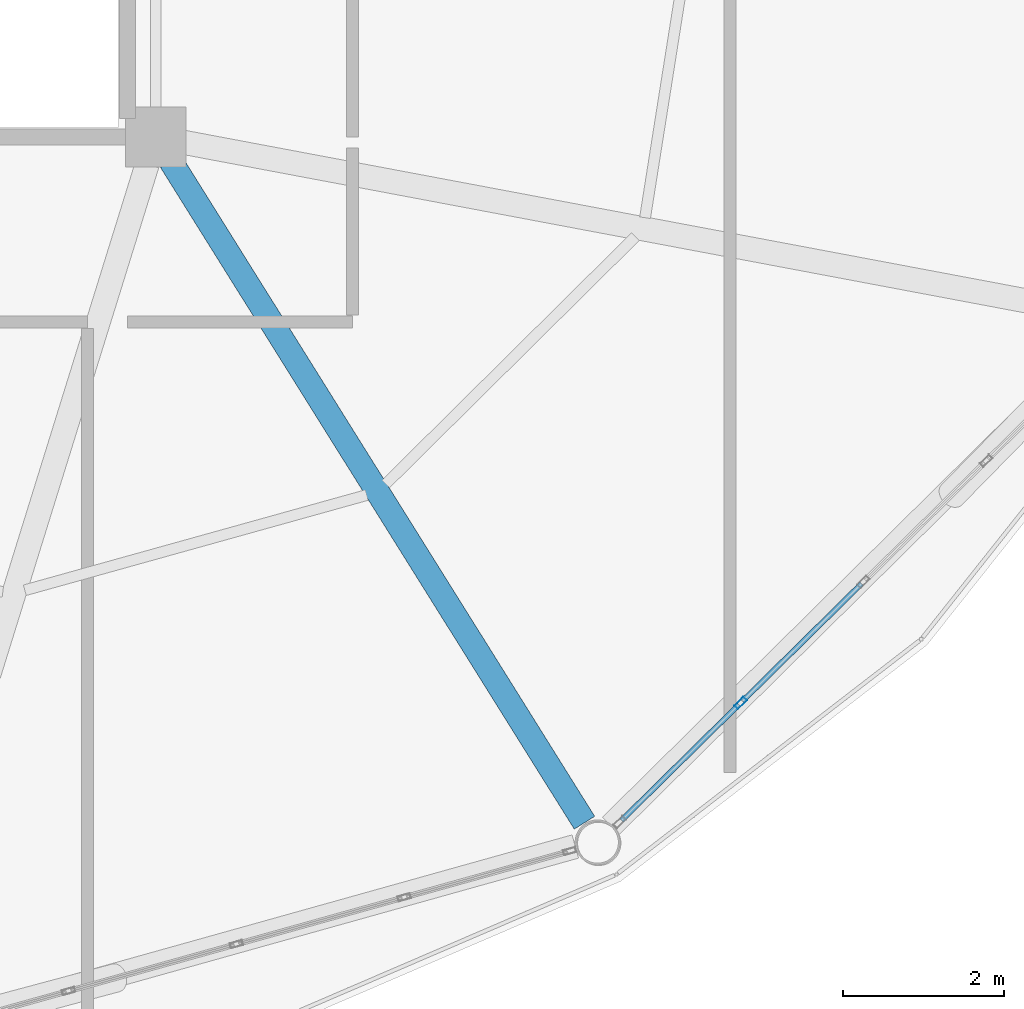
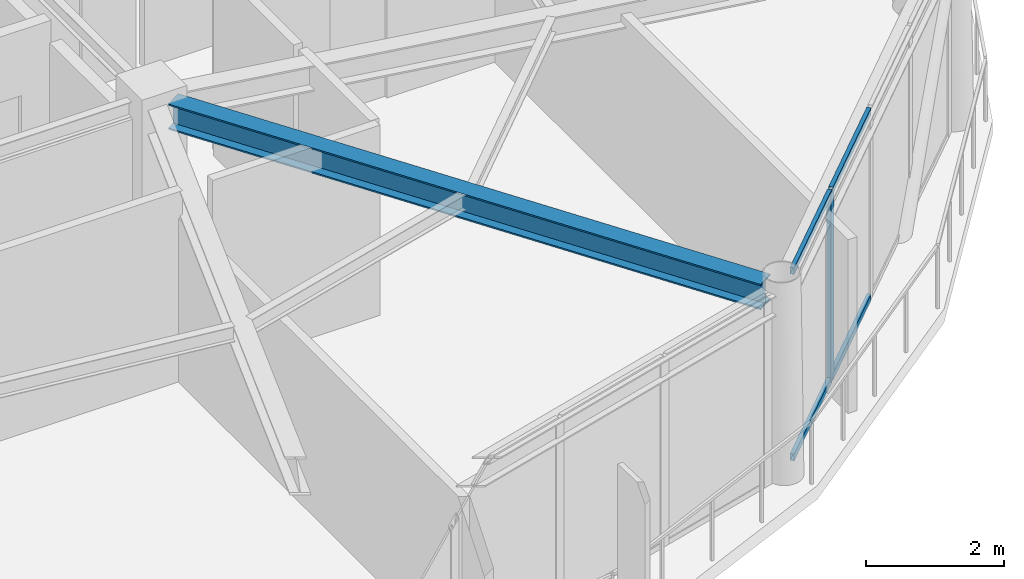
# One storey, part 8 of 26: 5 members, 1 beam, 1 element without a shape of its own.
"""IFC4 building model written with IfcOpenShell, lengths in metres."""

from ifc_helpers import new_model, si_unit, direction, frame, origin, origin_2d, place, context, subcontext, project, spatial, hollow_rectangle, i_section, extrude, material, layer, layer_set, material_profile, profile_set, type_object, element, aggregate, save


model = new_model("IFC4")

# Units and contexts
model_context = context("Model", 3, precision=1e-05, world=origin(), true_north=direction((0.0, 1.0)))
body_context = subcontext(model_context, "Body", "Model", "MODEL_VIEW")
ifc_project = project(units=[si_unit("LENGTHUNIT", "METRE"), si_unit("AREAUNIT", "SQUARE_METRE"), si_unit("VOLUMEUNIT", "CUBIC_METRE"), si_unit("PLANEANGLEUNIT", "RADIAN"), si_unit("MASSUNIT", "GRAM", prefix="KILO")], contexts=[model_context])

# Site, building, storey
site_placement = place(None, origin())
site = spatial("IfcSite", under=ifc_project, at=site_placement, CompositionType="ELEMENT")
building_placement = place(site_placement, origin())
building = spatial("IfcBuilding", under=site, at=building_placement, Name="Varnakorn Sky Granary", CompositionType="ELEMENT")
storey_placement = place(building_placement, frame((0.0, 0.0, 267.0)))
storey = spatial("IfcBuildingStorey", under=building, at=storey_placement, Name="L68", CompositionType="ELEMENT", Elevation=267.0)

# Beam
ifc_material_1 = material(Name="Steel S355JR", Category="steel")
ifc_material_profile_1 = material_profile(ifc_material_1, i_section(OverallWidth=0.300048828125, OverallDepth=0.449951171875, WebThickness=0.013916015625, FlangeThickness=0.02587890625, at=origin_2d()), Name="HE 450 B")
ifc_profile_set_1 = profile_set([ifc_material_profile_1], Name="Steel S355JR")
beam_type = type_object("IfcBeamType", Name="BM-RAD-Z5", PredefinedType="BEAM", material=ifc_profile_set_1)
beam_placement = place(storey_placement, frame((8.5380859375, -6.90087890625, 3.135009765625), z_axis=(0.530229440098, -0.847854197875, 0.0), x_axis=(0.847854197875, 0.530229440098, 0.0)))
element("IfcBeam", 1, at=beam_placement, inside=storey, type_object=beam_type, Name="Radial Floor Girder RG11 L68", PredefinedType="BEAM", context=body_context, shape_type="SweptSolid", body=[
    extrude(i_section(OverallWidth=0.300048828125, OverallDepth=0.449951171875, WebThickness=0.013916015625, FlangeThickness=0.02587890625, at=origin_2d()), origin(), (0.0, 0.0, 1.0), 9.710205078125),
])

# Curtain wall, members
ifc_material_2 = material(Name="Anodised Bronze Aluminium Alloy 6063-T6", Category="aluminium")
ifc_layer = layer(ifc_material_2, 0.159912109375, Name="Anodised Bronze Aluminium Alloy 6063-T6")
ifc_layer_set = layer_set([ifc_layer], Name="Anodised Bronze Aluminium Alloy 6063-T6")
curtain_wall_type = type_object("IfcCurtainWallType", Name="CW-OFF-1", PredefinedType="USERDEFINED", material=ifc_layer_set)
curtain_wall_placement = place(storey_placement, origin())
curtain_wall = element("IfcCurtainWall", 2, at=curtain_wall_placement, inside=storey, type_object=curtain_wall_type, Name="Unitised Curtain Wall CW6 CW-L68-B11", ObjectType="CURTAIN WALL", PredefinedType="USERDEFINED")
ifc_material_profile_2 = material_profile(ifc_material_2, hollow_rectangle(XDim=0.06494140625, YDim=0.159912109375, WallThickness=0.00341796875, at=origin_2d()), Name="ALU MULL 65x160")
ifc_profile_set_2 = profile_set([ifc_material_profile_2], Name="Anodised Bronze Aluminium Alloy 6063-T6")
member_type_1 = type_object("IfcMemberType", Name="CW-OFF-1-MULL", PredefinedType="MULLION", material=ifc_profile_set_2)
member_1_placement = place(storey_placement, frame((15.63037109375, -13.642333984375, 0.0), z_axis=(0.0, 0.0, 1.0), x_axis=(0.702091405728, -0.71208683319, 0.0)))
member_1 = element("IfcMember", 3, at=member_1_placement, type_object=member_type_1, Name="CW6 mullion 4", PredefinedType="MULLION", context=body_context, shape_type="SweptSolid", body=[
    extrude(hollow_rectangle(XDim=0.06494140625, YDim=0.159912109375, WallThickness=0.00341796875, at=origin_2d()), origin(), (0.0, 0.0, 1.0), 3.360107421875),
])
ifc_material_profile_3 = material_profile(ifc_material_2, hollow_rectangle(XDim=0.06494140625, YDim=0.1201171875, WallThickness=0.00341796875, at=origin_2d()), Name="ALU TRAN 65x120")
ifc_profile_set_3 = profile_set([ifc_material_profile_3], Name="Anodised Bronze Aluminium Alloy 6063-T6")
member_type_2 = type_object("IfcMemberType", Name="CW-OFF-1-TRAN", PredefinedType="USERDEFINED", material=ifc_profile_set_3)
member_2_placement = place(storey_placement, frame((17.135498046875, -12.158447265625, 0.032470703125), z_axis=(-0.712074901706, -0.702103506871, 0.0), x_axis=(0.702103506871, -0.712074901706, 0.0)))
member_2 = element("IfcMember", 4, at=member_2_placement, type_object=member_type_2, Name="CW6 transom 3.1", ObjectType="TRANSOM", PredefinedType="USERDEFINED", context=body_context, shape_type="SweptSolid", body=[
    extrude(hollow_rectangle(XDim=0.06494140625, YDim=0.1201171875, WallThickness=0.00341796875, at=origin_2d()), origin(), (0.0, 0.0, 1.0), 2.0810546875),
])
member_3_placement = place(storey_placement, frame((17.135498046875, -12.158447265625, 3.327392578125), z_axis=(-0.712074901706, -0.702103506871, 0.0), x_axis=(0.702103506871, -0.712074901706, 0.0)))
member_3 = element("IfcMember", 5, at=member_3_placement, type_object=member_type_2, Name="CW6 transom 3.2", ObjectType="TRANSOM", PredefinedType="USERDEFINED", context=body_context, shape_type="SweptSolid", body=[
    extrude(hollow_rectangle(XDim=0.06494140625, YDim=0.1201171875, WallThickness=0.00341796875, at=origin_2d()), origin(), (0.0, 0.0, 1.0), 2.0810546875),
])
member_4_placement = place(storey_placement, frame((15.607177734375, -13.665283203125, 0.032470703125), z_axis=(-0.712035829306, -0.702143131979, 0.0), x_axis=(0.702143131979, -0.712035829306, 0.0)))
member_4 = element("IfcMember", 6, at=member_4_placement, type_object=member_type_2, Name="CW6 transom 4.1", ObjectType="TRANSOM", PredefinedType="USERDEFINED", context=body_context, shape_type="SweptSolid", body=[
    extrude(hollow_rectangle(XDim=0.06494140625, YDim=0.1201171875, WallThickness=0.00341796875, at=origin_2d()), origin(), (0.0, 0.0, 1.0), 2.04833984375),
])
member_5_placement = place(storey_placement, frame((15.607177734375, -13.665283203125, 3.327392578125), z_axis=(-0.712035829306, -0.702143131979, 0.0), x_axis=(0.702143131979, -0.712035829306, 0.0)))
member_5 = element("IfcMember", 7, at=member_5_placement, type_object=member_type_2, Name="CW6 transom 4.2", ObjectType="TRANSOM", PredefinedType="USERDEFINED", context=body_context, shape_type="SweptSolid", body=[
    extrude(hollow_rectangle(XDim=0.06494140625, YDim=0.1201171875, WallThickness=0.00341796875, at=origin_2d()), origin(), (0.0, 0.0, 1.0), 2.04833984375),
])
aggregate(curtain_wall, [member_1, member_2, member_3, member_4, member_5])

save(model, "model.ifc")
